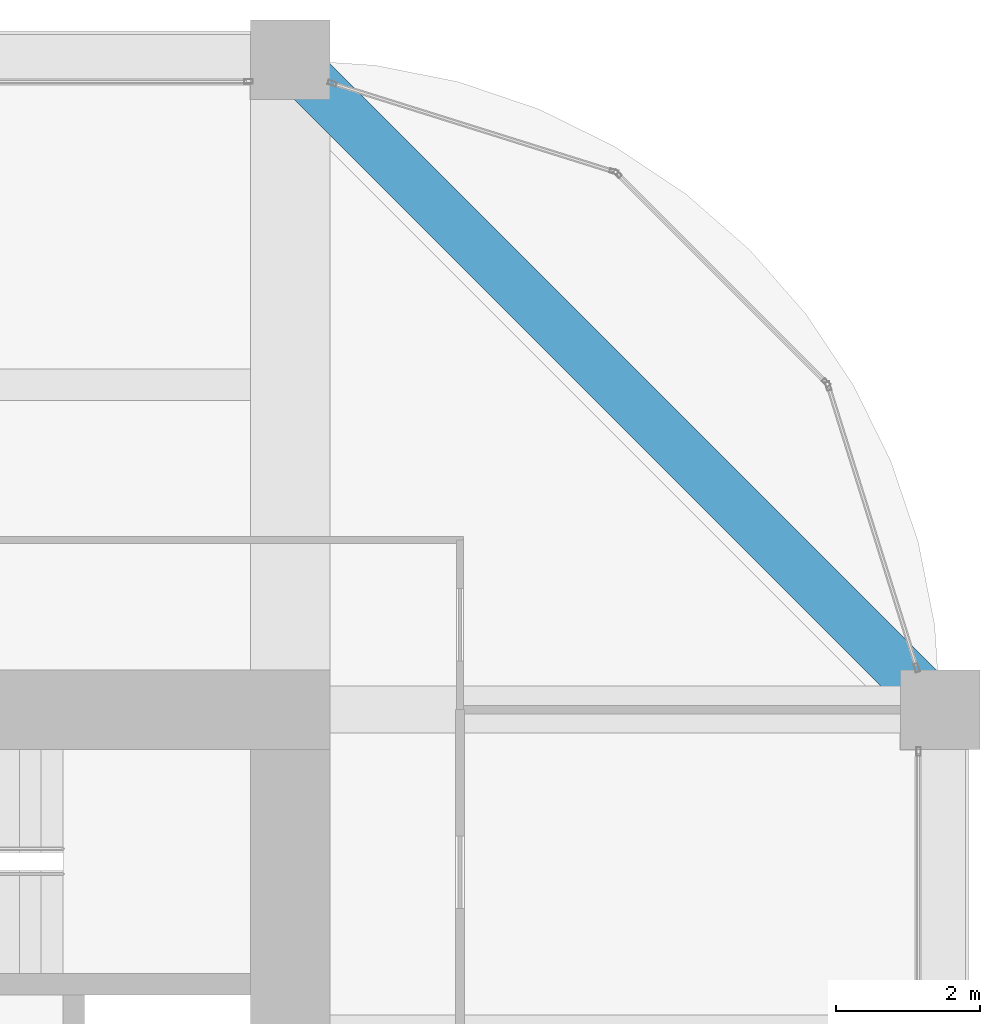
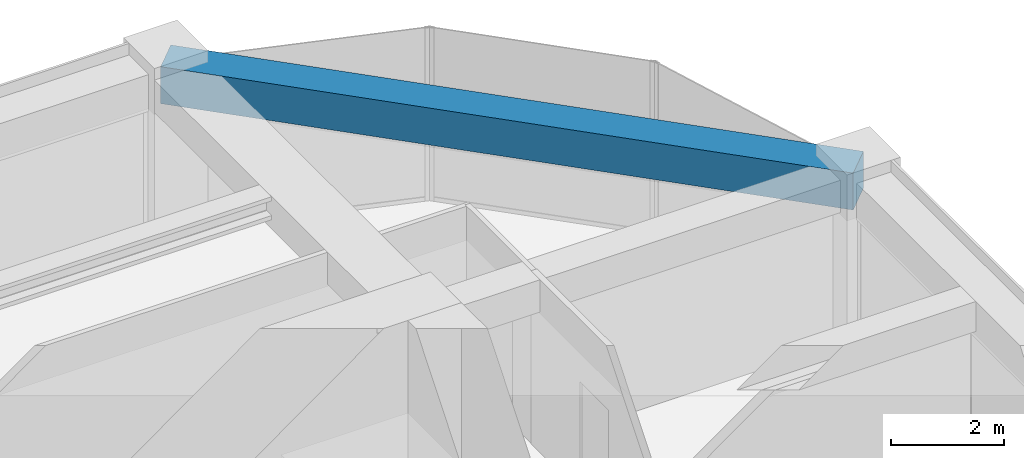
# One storey, part 38 of 45: 1 beam.
"""IFC4 building model written with IfcOpenShell, lengths in metres."""

from ifc_helpers import new_model, si_unit, direction, frame, origin, origin_2d, place, context, subcontext, project, spatial, rectangle, extrude, material, material_profile, profile_set, type_object, element, save


model = new_model("IFC4")

# Units and contexts
model_context = context("Model", 3, precision=1e-05, world=origin(), true_north=direction((0.0, 1.0)))
body_context = subcontext(model_context, "Body", "Model", "MODEL_VIEW")
ifc_project = project(units=[si_unit("LENGTHUNIT", "METRE"), si_unit("AREAUNIT", "SQUARE_METRE"), si_unit("VOLUMEUNIT", "CUBIC_METRE"), si_unit("PLANEANGLEUNIT", "RADIAN"), si_unit("MASSUNIT", "GRAM", prefix="KILO")], contexts=[model_context])

# Site, building, storey
site_placement = place(None, origin())
site = spatial("IfcSite", under=ifc_project, at=site_placement, CompositionType="ELEMENT")
building_placement = place(site_placement, origin())
building = spatial("IfcBuilding", under=site, at=building_placement, Name="Zorevar Civic Tower", CompositionType="ELEMENT")
storey_placement = place(building_placement, frame((0.0, 0.0, 291.39990234375)))
storey = spatial("IfcBuildingStorey", under=building, at=storey_placement, Name="L71", CompositionType="ELEMENT", Elevation=291.39990234375)

# Beam
ifc_material = material(Name="Concrete C50/60", Category="concrete")
ifc_material_profile = material_profile(ifc_material, rectangle(XDim=0.699951171875, YDim=0.800048828125, at=origin_2d()), Name="RC 700x800")
ifc_profile_set = profile_set([ifc_material_profile], Name="Concrete C50/60")
beam_type = type_object("IfcBeamType", Name="Edge beam RC 700x800", PredefinedType="SPANDREL", material=ifc_profile_set)
beam_placement = place(storey_placement, frame((54.0, 36.0, 3.35009765625), z_axis=(-0.707106781187, 0.707106781187, 0.0), x_axis=(-0.707106781187, -0.707106781187, 0.0)))
element("IfcBeam", 1, at=beam_placement, inside=storey, type_object=beam_type, Name="Corner edge beam L72", PredefinedType="SPANDREL", context=body_context, shape_type="SweptSolid", body=[
    extrude(rectangle(XDim=0.699951171875, YDim=0.800048828125, at=origin_2d()), origin(), (0.0, 0.0, 1.0), 12.72802734375),
])

save(model, "model.ifc")
